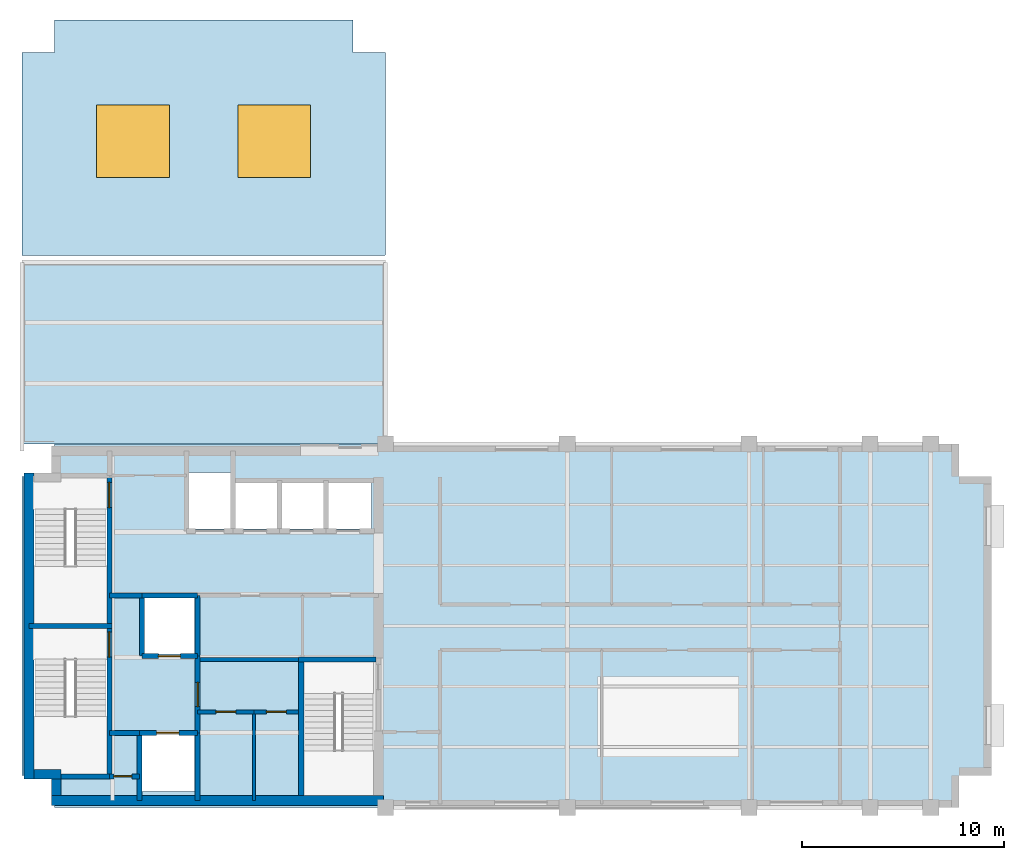
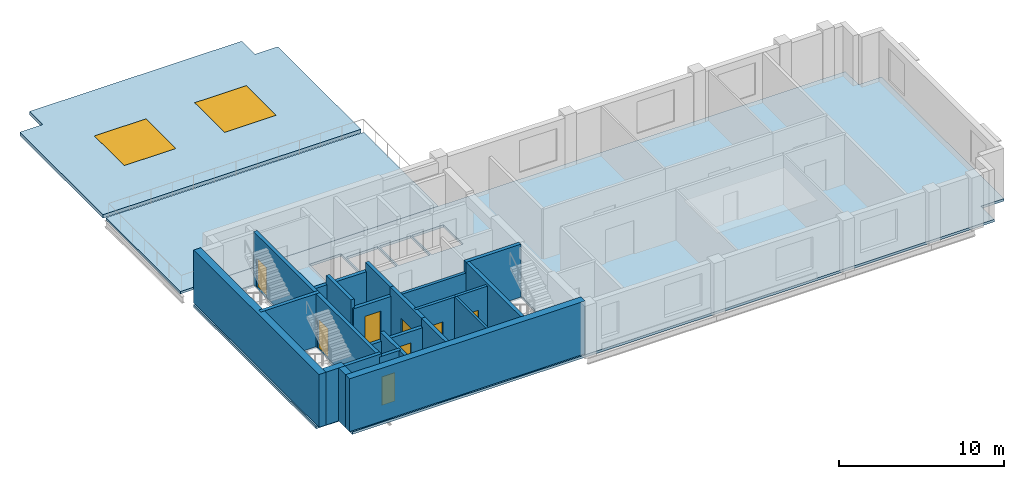
# One storey, part 2 of 5: 25 walls, 8 doors, 3 slabs, 2 windows, 10 openings.
"""IFC4 building model written with IfcOpenShell, lengths in metres."""

from ifc_helpers import new_model, si_unit, direction, frame, frame_2d, origin, origin_2d, place, context, subcontext, project, spatial, polyline, rectangle, outline, extrude, material, layer, layer_set, type_object, element, fill, save


model = new_model("IFC4")

# Units and contexts
model_context = context("Model", 3, precision=1e-05, world=origin(), true_north=direction((0.0, 1.0)))
body_context = subcontext(model_context, "Body", "Model", "MODEL_VIEW")
ifc_project = project(units=[si_unit("LENGTHUNIT", "METRE"), si_unit("AREAUNIT", "SQUARE_METRE"), si_unit("VOLUMEUNIT", "CUBIC_METRE"), si_unit("PLANEANGLEUNIT", "RADIAN"), si_unit("MASSUNIT", "GRAM", prefix="KILO")], contexts=[model_context])

# Site, building, storey
site_placement = place(None, origin())
site = spatial("IfcSite", under=ifc_project, at=site_placement, CompositionType="ELEMENT")
building_placement = place(site_placement, origin())
building = spatial("IfcBuilding", under=site, at=building_placement, Name="Mawjdan Bourse Tower", CompositionType="ELEMENT")
storey_placement = place(building_placement, frame((0.0, 0.0, 254.699951171875)))
storey = spatial("IfcBuildingStorey", under=building, at=storey_placement, Name="L62", CompositionType="ELEMENT", Elevation=254.699951171875)

# Slab, openings, windows
ifc_material_1 = material(Name="Concrete C50/60", Category="concrete")
ifc_layer_1 = layer(ifc_material_1, 0.260009765625)
ifc_layer_set_1 = layer_set([ifc_layer_1], Name="Concrete C50/60")
slab_type_1 = type_object("IfcSlabType", Name="SL-ROOF-260", PredefinedType="ROOF", material=ifc_layer_set_1)
slab_1_placement = place(storey_placement, frame((0.0, 0.0, -0.260009765625)))
slab_1 = element("IfcSlab", 1, at=slab_1_placement, inside=storey, type_object=slab_type_1, Name="L62 Setback Weather Roof 1", PredefinedType="ROOF", context=body_context, shape_type="SweptSolid", body=[
    extrude(outline(polyline([(6.0, 30.3701171875), (6.0, 30.367919921875), (6.00048828125, 30.3662109375), (6.0009765625, 30.3642578125), (6.00146484375, 30.3623046875), (6.00244140625, 30.360595703125), (6.00341796875, 30.35888671875), (6.00439453125, 30.357421875), (6.005859375, 30.35595703125), (6.00732421875, 30.3544921875), (6.0087890625, 30.353515625), (6.010498046875, 30.352294921875), (6.01220703125, 30.3515625), (6.01416015625, 30.350830078125), (6.01611328125, 30.350341796875), (6.01806640625, 30.35009765625), (6.02001953125, 30.35009765625), (23.97998046875, 30.35009765625), (23.98193359375, 30.35009765625), (23.98388671875, 30.350341796875), (23.98583984375, 30.350830078125), (23.98779296875, 30.3515625), (23.989501953125, 30.352294921875), (23.9912109375, 30.353515625), (23.99267578125, 30.3544921875), (23.994140625, 30.35595703125), (23.99560546875, 30.357421875), (23.99658203125, 30.35888671875), (23.99755859375, 30.360595703125), (23.99853515625, 30.3623046875), (23.9990234375, 30.3642578125), (23.99951171875, 30.3662109375), (24.0, 30.367919921875), (24.0, 30.3701171875), (24.0, 40.3798828125), (24.0, 40.382080078125), (23.99951171875, 40.3837890625), (23.9990234375, 40.3857421875), (23.99853515625, 40.3876953125), (23.99755859375, 40.389404296875), (23.99658203125, 40.39111328125), (23.99560546875, 40.392578125), (23.994140625, 40.39404296875), (23.99267578125, 40.3955078125), (23.9912109375, 40.396484375), (23.989501953125, 40.397705078125), (23.98779296875, 40.3984375), (23.98583984375, 40.399169921875), (23.98388671875, 40.399658203125), (23.98193359375, 40.39990234375), (23.97998046875, 40.39990234375), (22.400390625, 40.39990234375), (22.39990234375, 40.39990234375), (22.39990234375, 40.400390625), (22.39990234375, 41.97998046875), (22.39990234375, 41.98193359375), (22.399658203125, 41.98388671875), (22.399169921875, 41.98583984375), (22.3984375, 41.98779296875), (22.397705078125, 41.989501953125), (22.396484375, 41.9912109375), (22.3955078125, 41.99267578125), (22.39404296875, 41.994140625), (22.392578125, 41.99560546875), (22.39111328125, 41.99658203125), (22.389404296875, 41.99755859375), (22.3876953125, 41.99853515625), (22.3857421875, 41.9990234375), (22.3837890625, 41.99951171875), (22.382080078125, 42.0), (22.3798828125, 42.0), (7.6201171875, 42.0), (7.617919921875, 42.0), (7.6162109375, 41.99951171875), (7.6142578125, 41.9990234375), (7.6123046875, 41.99853515625), (7.610595703125, 41.99755859375), (7.60888671875, 41.99658203125), (7.607421875, 41.99560546875), (7.60595703125, 41.994140625), (7.6044921875, 41.99267578125), (7.603515625, 41.9912109375), (7.602294921875, 41.989501953125), (7.6015625, 41.98779296875), (7.600830078125, 41.98583984375), (7.600341796875, 41.98388671875), (7.60009765625, 41.98193359375), (7.60009765625, 41.97998046875), (7.60009765625, 40.400390625), (7.60009765625, 40.39990234375), (7.599609375, 40.39990234375), (6.02001953125, 40.39990234375), (6.01806640625, 40.39990234375), (6.01611328125, 40.399658203125), (6.01416015625, 40.399169921875), (6.01220703125, 40.3984375), (6.010498046875, 40.397705078125), (6.0087890625, 40.396484375), (6.00732421875, 40.3955078125), (6.005859375, 40.39404296875), (6.00439453125, 40.392578125), (6.00341796875, 40.39111328125), (6.00244140625, 40.389404296875), (6.00146484375, 40.3876953125), (6.0009765625, 40.3857421875), (6.00048828125, 40.3837890625), (6.0, 40.382080078125), (6.0, 40.3798828125), (6.0, 30.3701171875)])), origin(), (0.0, 0.0, 1.0), 0.260009765625),
])
opening_1_placement = place(slab_1_placement, frame((11.5, 36.0, 0.0)))
opening_1 = element("IfcOpeningElement", 2, at=opening_1_placement, cuts=slab_1, Name="Opening SKL-L62-01", PredefinedType="OPENING", context=body_context, shape_type="SweptSolid", body=[
    extrude(rectangle(XDim=3.60009765625, YDim=3.60009765625, at=origin_2d()), frame((0.0, 0.0, -0.010009765625)), (0.0, 0.0, 1.0), 0.280029296875),
])
opening_2_placement = place(slab_1_placement, frame((18.5, 36.0, 0.0)))
opening_2 = element("IfcOpeningElement", 3, at=opening_2_placement, cuts=slab_1, Name="Opening SKL-L62-02", PredefinedType="OPENING", context=body_context, shape_type="SweptSolid", body=[
    extrude(rectangle(XDim=3.60009765625, YDim=3.60009765625, at=origin_2d()), frame((0.0, 0.0, -0.010009765625)), (0.0, 0.0, 1.0), 0.280029296875),
])
ifc_material_2 = material(Name="Laminated Structural Skylight Glass", Category="glass")
window_type = type_object("IfcWindowType", Name="SKL-ATR-3600", PartitioningType="SINGLE_PANEL", PredefinedType="SKYLIGHT", material=ifc_material_2)
window_1_placement = place(opening_1_placement, frame((0.0, 0.0, 0.2099609375)))
window_1 = element("IfcWindow", 4, at=window_1_placement, inside=storey, type_object=window_type, Name="L62 Atrium Roof Skylight 1", OverallHeight=3.60009765625, OverallWidth=3.60009765625, PartitioningType="SINGLE_PANEL", PredefinedType="SKYLIGHT", context=body_context, shape_type="SweptSolid", body=[
    extrude(rectangle(XDim=3.60009765625, YDim=3.60009765625, at=origin_2d()), origin(), (0.0, 0.0, 1.0), 0.050048828125),
])
fill(opening_1, window_1)
window_2_placement = place(opening_2_placement, frame((0.0, 0.0, 0.2099609375)))
window_2 = element("IfcWindow", 5, at=window_2_placement, inside=storey, type_object=window_type, Name="L62 Atrium Roof Skylight 2", OverallHeight=3.60009765625, OverallWidth=3.60009765625, PartitioningType="SINGLE_PANEL", PredefinedType="SKYLIGHT", context=body_context, shape_type="SweptSolid", body=[
    extrude(rectangle(XDim=3.60009765625, YDim=3.60009765625, at=origin_2d()), origin(), (0.0, 0.0, 1.0), 0.050048828125),
])
fill(opening_2, window_2)

# Slabs
ifc_layer_2 = layer(ifc_material_1, 0.18505859375)
ifc_layer_set_2 = layer_set([ifc_layer_2], Name="Concrete C50/60")
slab_type_2 = type_object("IfcSlabType", Name="SL-SMT-185", PredefinedType="FLOOR", material=ifc_layer_set_2)
slab_2_placement = place(storey_placement, frame((0.0, 0.0, -0.18505859375)))
element("IfcSlab", 6, at=slab_2_placement, inside=storey, type_object=slab_type_2, Name="L62 Structural Floor Slab 1", PredefinedType="FLOOR", context=body_context, shape_type="SweptSolid", body=[
    extrude(outline(polyline([(7.60009765625, 3.0), (52.39990234375, 3.0), (52.39990234375, 4.60009765625), (54.0, 4.60009765625), (54.0, 19.39990234375), (52.39990234375, 19.39990234375), (52.39990234375, 21.0), (7.60009765625, 21.0), (7.60009765625, 19.39990234375), (6.0, 19.39990234375), (6.0, 4.60009765625), (7.60009765625, 4.60009765625), (7.60009765625, 3.0)]), holes=[polyline([(14.550048828125, 3.800048828125), (11.949951171875, 3.800048828125), (11.949951171875, 6.60009765625), (14.550048828125, 6.60009765625), (14.550048828125, 3.800048828125)]), polyline([(10.260009765625, 11.969970703125), (10.260009765625, 10.31005859375), (10.199951171875, 10.31005859375), (10.199951171875, 4.64990234375), (6.60009765625, 4.64990234375), (6.60009765625, 10.31005859375), (6.5400390625, 10.31005859375), (6.5400390625, 11.969970703125), (10.260009765625, 11.969970703125)]), polyline([(14.550048828125, 10.60009765625), (12.050048828125, 10.60009765625), (12.050048828125, 13.39990234375), (14.550048828125, 13.39990234375), (14.550048828125, 10.60009765625)]), polyline([(7.60009765625, 19.3798828125), (7.60205078125, 19.380126953125), (7.60400390625, 19.38037109375), (7.605712890625, 19.380859375), (7.607666015625, 19.381591796875), (7.609375, 19.38232421875), (7.611083984375, 19.38330078125), (7.61279296875, 19.384521484375), (7.614013671875, 19.385986328125), (7.615478515625, 19.38720703125), (7.61669921875, 19.388916015625), (7.61767578125, 19.390625), (7.618408203125, 19.392333984375), (7.619140625, 19.394287109375), (7.61962890625, 19.39599609375), (7.619873046875, 19.39794921875), (7.6201171875, 19.39990234375), (7.6201171875, 19.409912109375), (10.260009765625, 19.409912109375), (10.260009765625, 17.75), (10.199951171875, 17.75), (10.199951171875, 12.090087890625), (6.60009765625, 12.090087890625), (6.60009765625, 17.75), (6.5400390625, 17.75), (6.5400390625, 19.3798828125), (7.60009765625, 19.3798828125)]), polyline([(19.889892578125, 10.280029296875), (23.610107421875, 10.280029296875), (23.610107421875, 8.6201171875), (23.550048828125, 8.6201171875), (23.550048828125, 3.6201171875), (19.949951171875, 3.6201171875), (19.949951171875, 8.6201171875), (19.889892578125, 8.6201171875), (19.889892578125, 10.280029296875)]), polyline([(16.5, 16.800048828125), (16.5, 19.14990234375), (18.699951171875, 19.14990234375), (18.699951171875, 16.800048828125), (16.5, 16.800048828125)]), polyline([(21.0, 16.800048828125), (18.800048828125, 16.800048828125), (18.800048828125, 19.14990234375), (21.0, 19.14990234375), (21.0, 16.800048828125)]), polyline([(21.10009765625, 16.800048828125), (21.10009765625, 19.14990234375), (23.300048828125, 19.14990234375), (23.300048828125, 16.800048828125), (21.10009765625, 16.800048828125)]), polyline([(14.199951171875, 16.800048828125), (14.199951171875, 19.60009765625), (16.39990234375, 19.60009765625), (16.39990234375, 16.800048828125), (14.199951171875, 16.800048828125)])]), origin(), (0.0, 0.0, 1.0), 0.18505859375),
])
ifc_layer_3 = layer(ifc_material_1, 0.169921875)
ifc_layer_set_3 = layer_set([ifc_layer_3], Name="Concrete C50/60")
slab_type_3 = type_object("IfcSlabType", Name="SL-TER-170", PredefinedType="FLOOR", material=ifc_layer_set_3)
slab_3_placement = place(storey_placement, frame((0.0, 0.0, -0.169921875)))
element("IfcSlab", 7, at=slab_3_placement, inside=storey, type_object=slab_type_3, Name="L62 North Wing Summit Sky Terrace", PredefinedType="FLOOR", context=body_context, shape_type="SweptSolid", body=[
    extrude(outline(polyline([(6.0, 21.0), (24.0, 21.0), (24.0, 30.0), (6.0, 30.0), (6.0, 21.0)])), origin(), (0.0, 0.0, 1.0), 0.169921875),
])

# Wall, opening, door
ifc_material_3 = material(Name="Gypsum Fireboard Assembly")
ifc_layer_4 = layer(ifc_material_3, 0.199951171875)
ifc_layer_set_4 = layer_set([ifc_layer_4], Name="Gypsum Fireboard Assembly")
wall_type_1 = type_object("IfcWallType", Name="WL-CMP-200", PredefinedType="PARTITIONING", material=ifc_layer_set_4)
wall_1_placement = place(storey_placement, frame((14.699951171875, 7.739990234375, 0.0), z_axis=(0.0, 0.0, 1.0), x_axis=(1.0, 0.0, 0.0)))
wall_1 = element("IfcWall", 8, at=wall_1_placement, inside=storey, type_object=wall_type_1, Name="L62 First Aid & Wellness Room North Wall", PredefinedType="PARTITIONING", context=body_context, shape_type="SweptSolid", body=[
    extrude(rectangle(XDim=2.800048828125, YDim=0.199951171875, at=frame_2d((1.39990234375, 0.0))), origin(), (0.0, 0.0, 1.0), 3.705078125),
])
opening_3_placement = place(wall_1_placement, frame((0.89990234375, 0.0, 0.0)))
opening_3 = element("IfcOpeningElement", 9, at=opening_3_placement, cuts=wall_1, Name="Opening D-L62-13", PredefinedType="OPENING", context=body_context, shape_type="SweptSolid", body=[
    extrude(rectangle(XDim=1.0, YDim=2.14990234375, at=frame_2d((0.5, 1.074951171875))), frame((0.0, 0.10986328125, 0.0), z_axis=(0.0, -1.0, 0.0), x_axis=(1.0, 0.0, 0.0)), (0.0, 0.0, 1.0), 0.219970703125),
])
ifc_material_4 = material(Name="Hardwood Acoustic Leaf", Category="wood")
door_type_1 = type_object("IfcDoorType", Name="DR-OFC-1000", OperationType="NOTDEFINED", PredefinedType="DOOR", material=ifc_material_4)
door_1_placement = place(opening_3_placement, origin())
door_1 = element("IfcDoor", 10, at=door_1_placement, inside=storey, type_object=door_type_1, Name="L62 First Aid & Wellness Room Door D-L62-13", OperationType="SINGLE_SWING_LEFT", OverallHeight=2.14990234375, OverallWidth=1.0, PredefinedType="DOOR", context=body_context, shape_type="SweptSolid", body=[
    extrude(rectangle(XDim=1.0, YDim=2.14990234375, at=frame_2d((0.5, 1.074951171875))), frame((0.0, 0.02490234375, 0.0), z_axis=(0.0, -1.0, 0.0), x_axis=(1.0, 0.0, 0.0)), (0.0, 0.0, 1.0), 0.050048828125),
])
fill(opening_3, door_1)

wall_2_placement = place(storey_placement, frame((17.5, 7.739990234375, 0.0), z_axis=(0.0, 0.0, 1.0), x_axis=(1.0, 0.0, 0.0)))
wall_2 = element("IfcWall", 11, at=wall_2_placement, inside=storey, type_object=wall_type_1, Name="L62 Reprographics & Pantry Suite North Wall", PredefinedType="PARTITIONING", context=body_context, shape_type="SweptSolid", body=[
    extrude(rectangle(XDim=2.199951171875, YDim=0.199951171875, at=frame_2d((1.10009765625, 0.0))), origin(), (0.0, 0.0, 1.0), 3.705078125),
])
opening_4_placement = place(wall_2_placement, frame((0.60009765625, 0.0, 0.0)))
opening_4 = element("IfcOpeningElement", 12, at=opening_4_placement, cuts=wall_2, Name="Opening D-L62-14", PredefinedType="OPENING", context=body_context, shape_type="SweptSolid", body=[
    extrude(rectangle(XDim=1.0, YDim=2.14990234375, at=frame_2d((0.5, 1.074951171875))), frame((0.0, 0.10986328125, 0.0), z_axis=(0.0, -1.0, 0.0), x_axis=(1.0, 0.0, 0.0)), (0.0, 0.0, 1.0), 0.219970703125),
])
door_2_placement = place(opening_4_placement, origin())
door_2 = element("IfcDoor", 13, at=door_2_placement, inside=storey, type_object=door_type_1, Name="L62 Reprographics & Pantry Suite Door D-L62-14", OperationType="SINGLE_SWING_RIGHT", OverallHeight=2.14990234375, OverallWidth=1.0, PredefinedType="DOOR", context=body_context, shape_type="SweptSolid", body=[
    extrude(rectangle(XDim=1.0, YDim=2.14990234375, at=frame_2d((0.5, 1.074951171875))), frame((0.0, 0.02490234375, 0.0), z_axis=(0.0, -1.0, 0.0), x_axis=(1.0, 0.0, 0.0)), (0.0, 0.0, 1.0), 0.050048828125),
])
fill(opening_4, door_2)

# Walls
wall_3_placement = place(storey_placement, frame((14.824951171875, 10.340087890625, 0.0), z_axis=(0.0, 0.0, 1.0), x_axis=(1.0, 0.0, 0.0)))
element("IfcWall", 14, at=wall_3_placement, inside=storey, type_object=wall_type_1, Name="L62 Core Restroom Suite South Wall", PredefinedType="PARTITIONING", context=body_context, shape_type="SweptSolid", body=[
    extrude(rectangle(XDim=4.880126953125, YDim=0.199951171875, at=frame_2d((2.43994140625, 0.0))), origin(), (0.0, 0.0, 1.0), 3.088134765625),
])
ifc_material_5 = material(Name="Concrete C60/75", Category="concrete")
ifc_layer_5 = layer(ifc_material_5, 0.449951171875)
ifc_layer_set_5 = layer_set([ifc_layer_5], Name="Concrete C60/75")
wall_type_2 = type_object("IfcWallType", Name="WL-CORE-450", PredefinedType="SHEAR", material=ifc_layer_set_5)
wall_4_placement = place(storey_placement, frame((6.60009765625, 4.64990234375, 0.0), z_axis=(0.0, 0.0, 1.0), x_axis=(1.0, 0.0, 0.0)))
element("IfcWall", 15, at=wall_4_placement, inside=storey, type_object=wall_type_2, Name="L62 Rear Core Shear Wall SW-X", PredefinedType="SHEAR", context=body_context, shape_type="SweptSolid", body=[
    extrude(rectangle(XDim=1.324951171875, YDim=0.449951171875, at=frame_2d((0.66259765625, 0.0))), origin(), (0.0, 0.0, 1.0), 3.900146484375),
])
wall_5_placement = place(storey_placement, frame((7.699951171875, 3.60009765625, 0.0), z_axis=(0.0, 0.0, 1.0), x_axis=(0.0, 1.0, 0.0)))
element("IfcWall", 16, at=wall_5_placement, inside=storey, type_object=wall_type_2, Name="L62 Rear Core Shear Wall SW-Y", PredefinedType="SHEAR", context=body_context, shape_type="SweptSolid", body=[
    extrude(rectangle(XDim=0.824951171875, YDim=0.449951171875, at=frame_2d((0.41259765625, 0.0))), origin(), (0.0, 0.0, 1.0), 3.900146484375),
])
ifc_layer_6 = layer(ifc_material_5, 0.5)
ifc_layer_set_6 = layer_set([ifc_layer_6], Name="Concrete C60/75")
wall_type_3 = type_object("IfcWallType", Name="WL-CORE-500", PredefinedType="SHEAR", material=ifc_layer_set_6)
wall_6_placement = place(storey_placement, frame((7.47509765625, 3.35009765625, 0.0), z_axis=(0.0, 0.0, 1.0), x_axis=(1.0, 0.0, 0.0)))
element("IfcWall", 17, at=wall_6_placement, inside=storey, type_object=wall_type_3, Name="L62 Rear Core Shear Wall S", PredefinedType="SHEAR", context=body_context, shape_type="SweptSolid", body=[
    extrude(rectangle(XDim=16.4248046875, YDim=0.5, at=frame_2d((8.21240234375, 0.0))), origin(), (0.0, 0.0, 1.0), 3.900146484375),
])
wall_7_placement = place(storey_placement, frame((6.35009765625, 4.425048828125, 0.0), z_axis=(0.0, 0.0, 1.0), x_axis=(0.0, 1.0, 0.0)))
element("IfcWall", 18, at=wall_7_placement, inside=storey, type_object=wall_type_3, Name="L62 Rear Core Shear Wall W", PredefinedType="SHEAR", context=body_context, shape_type="SweptSolid", body=[
    extrude(rectangle(XDim=15.14990234375, YDim=0.5, at=frame_2d((7.574951171875, 0.0))), origin(), (0.0, 0.0, 1.0), 3.900146484375),
])
ifc_material_6 = material(Name="Gypsum Acoustic Partition")
ifc_layer_7 = layer(ifc_material_6, 0.14990234375)
ifc_layer_set_7 = layer_set([ifc_layer_7], Name="Gypsum Acoustic Partition")
wall_type_4 = type_object("IfcWallType", Name="WL-PRT-150", PredefinedType="PARTITIONING", material=ifc_layer_set_7)
wall_8_placement = place(storey_placement, frame((17.5, 3.35009765625, 0.0), z_axis=(0.0, 0.0, 1.0), x_axis=(0.0, 1.0, 0.0)))
element("IfcWall", 19, at=wall_8_placement, inside=storey, type_object=wall_type_4, Name="L62 Reprographics & Pantry Suite Core Split Wall", PredefinedType="PARTITIONING", context=body_context, shape_type="SweptSolid", body=[
    extrude(rectangle(XDim=4.389892578125, YDim=0.14990234375, at=frame_2d((2.19482421875, 0.0))), origin(), (0.0, 0.0, 1.0), 3.705078125),
])

# Wall, opening, door
ifc_layer_8 = layer(ifc_material_1, 0.25)
ifc_layer_set_8 = layer_set([ifc_layer_8], Name="Concrete C50/60")
wall_type_5 = type_object("IfcWallType", Name="WL-SHFT-250", PredefinedType="PARTITIONING", material=ifc_layer_set_8)
wall_9_placement = place(storey_placement, frame((10.330078125, 4.550048828125, 0.0), z_axis=(0.0, 0.0, 1.0), x_axis=(1.0, 0.0, 0.0)))
wall_9 = element("IfcWall", 20, at=wall_9_placement, inside=storey, type_object=wall_type_5, Name="L62 SW Riser North Wall", PredefinedType="PARTITIONING", context=body_context, shape_type="SweptSolid", body=[
    extrude(rectangle(XDim=1.489990234375, YDim=0.25, at=frame_2d((0.7451171875, 0.0))), origin(), (0.0, 0.0, 1.0), 3.705078125),
])
opening_5_placement = place(wall_9_placement, frame((0.219970703125, 0.0, 0.0)))
opening_5 = element("IfcOpeningElement", 21, at=opening_5_placement, cuts=wall_9, Name="Opening RD-L62-03", PredefinedType="OPENING", context=body_context, shape_type="SweptSolid", body=[
    extrude(rectangle(XDim=0.89990234375, YDim=2.10009765625, at=frame_2d((0.449951171875, 1.050048828125))), frame((0.0, 0.135009765625, 0.0), z_axis=(0.0, -1.0, 0.0), x_axis=(1.0, 0.0, 0.0)), (0.0, 0.0, 1.0), 0.27001953125),
])
ifc_material_7 = material(Name="Fire-Rated Steel Access Leaf", Category="steel")
door_type_2 = type_object("IfcDoorType", Name="FD-RSR-0900", OperationType="NOTDEFINED", PredefinedType="TRAPDOOR", material=ifc_material_7)
door_3_placement = place(opening_5_placement, origin())
door_3 = element("IfcDoor", 22, at=door_3_placement, inside=storey, type_object=door_type_2, Name="L62 Electrical Riser Access Door RD-L62-03", OperationType="SINGLE_SWING_LEFT", OverallHeight=2.10009765625, OverallWidth=0.89990234375, PredefinedType="TRAPDOOR", context=body_context, shape_type="SweptSolid", body=[
    extrude(rectangle(XDim=0.89990234375, YDim=2.10009765625, at=frame_2d((0.449951171875, 1.050048828125))), frame((0.0, 0.02490234375, 0.0), z_axis=(0.0, -1.0, 0.0), x_axis=(1.0, 0.0, 0.0)), (0.0, 0.0, 1.0), 0.050048828125),
])
fill(opening_5, door_3)

# Wall
wall_10_placement = place(storey_placement, frame((11.820068359375, 3.35009765625, 0.0), z_axis=(0.0, 0.0, 1.0), x_axis=(0.0, 1.0, 0.0)))
element("IfcWall", 23, at=wall_10_placement, inside=storey, type_object=wall_type_5, Name="L62 SW Riser & FFL01 West Wall", PredefinedType="PARTITIONING", context=body_context, shape_type="SweptSolid", body=[
    extrude(rectangle(XDim=3.349853515625, YDim=0.25, at=frame_2d((1.6748046875, 0.0))), origin(), (0.0, 0.0, 1.0), 3.705078125),
])

# Wall, opening, door
wall_11_placement = place(storey_placement, frame((11.820068359375, 6.699951171875, 0.0), z_axis=(0.0, 0.0, 1.0), x_axis=(1.0, 0.0, 0.0)))
wall_11 = element("IfcWall", 24, at=wall_11_placement, inside=storey, type_object=wall_type_5, Name="L62 FFL-01 Front Shaft Wall", PredefinedType="PARTITIONING", context=body_context, shape_type="SweptSolid", body=[
    extrude(rectangle(XDim=2.8798828125, YDim=0.25, at=frame_2d((1.43994140625, 0.0))), origin(), (0.0, 0.0, 1.0), 3.088134765625),
])
opening_6_placement = place(wall_11_placement, frame((0.85009765625, 0.0, 0.0)))
opening_6 = element("IfcOpeningElement", 25, at=opening_6_placement, cuts=wall_11, Name="Opening LD-L62-05", PredefinedType="OPENING", context=body_context, shape_type="SweptSolid", body=[
    extrude(rectangle(XDim=1.10009765625, YDim=2.25, at=frame_2d((0.550048828125, 1.125))), frame((0.0, 0.135009765625, 0.0), z_axis=(0.0, -1.0, 0.0), x_axis=(1.0, 0.0, 0.0)), (0.0, 0.0, 1.0), 0.27001953125),
])
ifc_material_8 = material(Name="Brushed Stainless Steel", Category="steel")
door_type_3 = type_object("IfcDoorType", Name="LD-FFL-1100", OperationType="DOUBLE_DOOR_SLIDING", PredefinedType="DOOR", material=ifc_material_8)
door_4_placement = place(opening_6_placement, origin())
door_4 = element("IfcDoor", 26, at=door_4_placement, inside=storey, type_object=door_type_3, Name="L62 Firefighting Lift FFL-01 Landing Door LD-L62-05", OperationType="DOUBLE_DOOR_SLIDING", OverallHeight=2.25, OverallWidth=1.10009765625, PredefinedType="DOOR", context=body_context, shape_type="SweptSolid", body=[
    extrude(rectangle(XDim=1.10009765625, YDim=2.25, at=frame_2d((0.550048828125, 1.125))), frame((0.0, 0.02490234375, 0.0), z_axis=(0.0, -1.0, 0.0), x_axis=(1.0, 0.0, 0.0)), (0.0, 0.0, 1.0), 0.050048828125),
])
fill(opening_6, door_4)

# Wall
wall_12_placement = place(storey_placement, frame((14.699951171875, 3.35009765625, 0.0), z_axis=(0.0, 0.0, 1.0), x_axis=(0.0, 1.0, 0.0)))
element("IfcWall", 27, at=wall_12_placement, inside=storey, type_object=wall_type_5, Name="L62 FFL-01 East Shaft Wall", PredefinedType="PARTITIONING", context=body_context, shape_type="SweptSolid", body=[
    extrude(rectangle(XDim=3.349853515625, YDim=0.25, at=frame_2d((1.6748046875, 0.0))), origin(), (0.0, 0.0, 1.0), 3.705078125),
])

# Wall, opening, door
wall_13_placement = place(storey_placement, frame((11.949951171875, 10.5, 0.0), z_axis=(0.0, 0.0, 1.0), x_axis=(1.0, 0.0, 0.0)))
wall_13 = element("IfcWall", 28, at=wall_13_placement, inside=storey, type_object=wall_type_5, Name="L62 FFL-02 Front Shaft Wall", PredefinedType="PARTITIONING", context=body_context, shape_type="SweptSolid", body=[
    extrude(rectangle(XDim=2.75, YDim=0.25, at=frame_2d((1.375, 0.0))), origin(), (0.0, 0.0, 1.0), 3.088134765625),
])
opening_7_placement = place(wall_13_placement, frame((0.800048828125, 0.0, 0.0)))
opening_7 = element("IfcOpeningElement", 29, at=opening_7_placement, cuts=wall_13, Name="Opening LD-L62-06", PredefinedType="OPENING", context=body_context, shape_type="SweptSolid", body=[
    extrude(rectangle(XDim=1.10009765625, YDim=2.25, at=frame_2d((0.550048828125, 1.125))), frame((0.0, 0.135009765625, 0.0), z_axis=(0.0, -1.0, 0.0), x_axis=(1.0, 0.0, 0.0)), (0.0, 0.0, 1.0), 0.27001953125),
])
door_5_placement = place(opening_7_placement, origin())
door_5 = element("IfcDoor", 30, at=door_5_placement, inside=storey, type_object=door_type_3, Name="L62 Firefighting Lift FFL-02 Landing Door LD-L62-06", OperationType="DOUBLE_DOOR_SLIDING", OverallHeight=2.25, OverallWidth=1.10009765625, PredefinedType="DOOR", context=body_context, shape_type="SweptSolid", body=[
    extrude(rectangle(XDim=1.10009765625, YDim=2.25, at=frame_2d((0.550048828125, 1.125))), frame((0.0, 0.02490234375, 0.0), z_axis=(0.0, -1.0, 0.0), x_axis=(1.0, 0.0, 0.0)), (0.0, 0.0, 1.0), 0.050048828125),
])
fill(opening_7, door_5)

# Walls
wall_14_placement = place(storey_placement, frame((11.949951171875, 10.5, 0.0), z_axis=(0.0, 0.0, 1.0), x_axis=(0.0, 1.0, 0.0)))
element("IfcWall", 31, at=wall_14_placement, inside=storey, type_object=wall_type_5, Name="L62 FFL-02 West Shaft Wall", PredefinedType="PARTITIONING", context=body_context, shape_type="SweptSolid", body=[
    extrude(rectangle(XDim=3.0, YDim=0.25, at=frame_2d((1.5, 0.0))), origin(), (0.0, 0.0, 1.0), 3.705078125),
])
wall_15_placement = place(storey_placement, frame((11.949951171875, 13.5, 0.0), z_axis=(0.0, 0.0, 1.0), x_axis=(1.0, 0.0, 0.0)))
element("IfcWall", 32, at=wall_15_placement, inside=storey, type_object=wall_type_5, Name="L62 FFL-02 North Shaft Wall", PredefinedType="PARTITIONING", context=body_context, shape_type="SweptSolid", body=[
    extrude(rectangle(XDim=2.75, YDim=0.25, at=frame_2d((1.375, 0.0))), origin(), (0.0, 0.0, 1.0), 3.088134765625),
])
wall_16_placement = place(storey_placement, frame((14.699951171875, 10.5, 0.0), z_axis=(0.0, 0.0, 1.0), x_axis=(0.0, 1.0, 0.0)))
element("IfcWall", 33, at=wall_16_placement, inside=storey, type_object=wall_type_5, Name="L62 FFL-02 East Shaft Wall", PredefinedType="PARTITIONING", context=body_context, shape_type="SweptSolid", body=[
    extrude(rectangle(XDim=3.0, YDim=0.25, at=frame_2d((1.5, 0.0))), origin(), (0.0, 0.0, 1.0), 3.705078125),
])

# Wall, opening, door
wall_17_placement = place(storey_placement, frame((14.699951171875, 6.699951171875, 0.0), z_axis=(0.0, 0.0, 1.0), x_axis=(0.0, 1.0, 0.0)))
wall_17 = element("IfcWall", 34, at=wall_17_placement, inside=storey, type_object=wall_type_5, Name="L62 Firefighting Lobby East Compartment Wall", PredefinedType="PARTITIONING", context=body_context, shape_type="SweptSolid", body=[
    extrude(rectangle(XDim=3.800048828125, YDim=0.25, at=frame_2d((1.89990234375, 0.0))), origin(), (0.0, 0.0, 1.0), 3.705078125),
])
opening_8_placement = place(wall_17_placement, frame((1.300048828125, 0.0, 0.0)))
opening_8 = element("IfcOpeningElement", 35, at=opening_8_placement, cuts=wall_17, Name="Opening FD-L62-07", PredefinedType="OPENING", context=body_context, shape_type="SweptSolid", body=[
    extrude(rectangle(XDim=1.199951171875, YDim=2.199951171875, at=frame_2d((0.60009765625, 1.10009765625))), frame((0.0, 0.135009765625, 0.0), z_axis=(0.0, -1.0, 0.0), x_axis=(1.0, 0.0, 0.0)), (0.0, 0.0, 1.0), 0.27001953125),
])
ifc_material_9 = material(Name="Fire-Rated Steel Leaf", Category="steel")
door_type_4 = type_object("IfcDoorType", Name="FD-FFL-1200", OperationType="NOTDEFINED", PredefinedType="DOOR", material=ifc_material_9)
door_6_placement = place(opening_8_placement, origin())
door_6 = element("IfcDoor", 36, at=door_6_placement, inside=storey, type_object=door_type_4, Name="L62 Firefighting Lobby East Smoke Door FD-L62-07", OperationType="SINGLE_SWING_LEFT", OverallHeight=2.199951171875, OverallWidth=1.199951171875, PredefinedType="DOOR", context=body_context, shape_type="SweptSolid", body=[
    extrude(rectangle(XDim=1.199951171875, YDim=2.199951171875, at=frame_2d((0.60009765625, 1.10009765625))), frame((0.0, 0.02490234375, 0.0), z_axis=(0.0, -1.0, 0.0), x_axis=(1.0, 0.0, 0.0)), (0.0, 0.0, 1.0), 0.050048828125),
])
fill(opening_8, door_6)

# Walls
wall_18_placement = place(storey_placement, frame((10.330078125, 13.5, 0.0), z_axis=(0.0, 0.0, 1.0), x_axis=(1.0, 0.0, 0.0)))
element("IfcWall", 37, at=wall_18_placement, inside=storey, type_object=wall_type_5, Name="L62 Firefighting Lobby North Compartment Wall", PredefinedType="PARTITIONING", context=body_context, shape_type="SweptSolid", body=[
    extrude(rectangle(XDim=1.619873046875, YDim=0.25, at=frame_2d((0.81005859375, 0.0))), origin(), (0.0, 0.0, 1.0), 3.088134765625),
])
wall_19_placement = place(storey_placement, frame((10.330078125, 6.699951171875, 0.0), z_axis=(0.0, 0.0, 1.0), x_axis=(1.0, 0.0, 0.0)))
element("IfcWall", 38, at=wall_19_placement, inside=storey, type_object=wall_type_5, Name="L62 Firefighting Lobby South Closure Wall", PredefinedType="PARTITIONING", context=body_context, shape_type="SweptSolid", body=[
    extrude(rectangle(XDim=1.489990234375, YDim=0.25, at=frame_2d((0.7451171875, 0.0))), origin(), (0.0, 0.0, 1.0), 3.088134765625),
])
ifc_layer_9 = layer(ifc_material_1, 0.25)
ifc_layer_set_9 = layer_set([ifc_layer_9], Name="Concrete C50/60")
wall_type_6 = type_object("IfcWallType", Name="WL-STRW-250", PredefinedType="SHEAR", material=ifc_layer_set_9)
wall_20_placement = place(storey_placement, frame((6.35009765625, 12.0, 0.0), z_axis=(0.0, 0.0, 1.0), x_axis=(1.0, 0.0, 0.0)))
element("IfcWall", 39, at=wall_20_placement, inside=storey, type_object=wall_type_6, Name="L62 Stairwell Dividing Shaft Wall", PredefinedType="SHEAR", context=body_context, shape_type="SweptSolid", body=[
    extrude(rectangle(XDim=4.10498046875, YDim=0.25, at=frame_2d((2.052490234375, 0.0))), origin(), (0.0, 0.0, 1.0), 3.900146484375),
])
wall_21_placement = place(storey_placement, frame((7.699951171875, 4.550048828125, 0.0), z_axis=(0.0, 0.0, 1.0), x_axis=(1.0, 0.0, 0.0)))
element("IfcWall", 40, at=wall_21_placement, inside=storey, type_object=wall_type_6, Name="L62 Stairwell ST1 South Shaft Wall", PredefinedType="SHEAR", context=body_context, shape_type="SweptSolid", body=[
    extrude(rectangle(XDim=2.755126953125, YDim=0.25, at=frame_2d((1.37744140625, 0.0))), origin(), (0.0, 0.0, 1.0), 3.900146484375),
])

# Wall, opening, door
wall_22_placement = place(storey_placement, frame((10.330078125, 4.550048828125, 0.0), z_axis=(0.0, 0.0, 1.0), x_axis=(0.0, 1.0, 0.0)))
wall_22 = element("IfcWall", 41, at=wall_22_placement, inside=storey, type_object=wall_type_6, Name="L62 Stairwell ST1 East Enclosure Wall", PredefinedType="SHEAR", context=body_context, shape_type="SweptSolid", body=[
    extrude(rectangle(XDim=7.449951171875, YDim=0.25, at=frame_2d((3.72509765625, 0.0))), origin(), (0.0, 0.0, 1.0), 3.900146484375),
])
opening_9_placement = place(wall_22_placement, frame((5.89990234375, 0.0, 0.0)))
opening_9 = element("IfcOpeningElement", 42, at=opening_9_placement, cuts=wall_22, Name="Opening SD-L62-01", PredefinedType="OPENING", context=body_context, shape_type="SweptSolid", body=[
    extrude(rectangle(XDim=1.25, YDim=2.199951171875, at=frame_2d((0.625, 1.10009765625))), frame((0.0, 0.135009765625, 0.0), z_axis=(0.0, -1.0, 0.0), x_axis=(1.0, 0.0, 0.0)), (0.0, 0.0, 1.0), 0.27001953125),
])
door_type_5 = type_object("IfcDoorType", Name="FD-ST-1250", OperationType="NOTDEFINED", PredefinedType="DOOR", material=ifc_material_9)
door_7_placement = place(opening_9_placement, origin())
door_7 = element("IfcDoor", 43, at=door_7_placement, inside=storey, type_object=door_type_5, Name="L62 Exit Stair ST1 Fire Door SD-L62-01", OperationType="SINGLE_SWING_LEFT", OverallHeight=2.199951171875, OverallWidth=1.25, PredefinedType="DOOR", context=body_context, shape_type="SweptSolid", body=[
    extrude(rectangle(XDim=1.25, YDim=2.199951171875, at=frame_2d((0.625, 1.10009765625))), frame((0.0, 0.02490234375, 0.0), z_axis=(0.0, -1.0, 0.0), x_axis=(1.0, 0.0, 0.0)), (0.0, 0.0, 1.0), 0.050048828125),
])
fill(opening_9, door_7)

wall_23_placement = place(storey_placement, frame((10.330078125, 12.0, 0.0), z_axis=(0.0, 0.0, 1.0), x_axis=(0.0, 1.0, 0.0)))
wall_23 = element("IfcWall", 44, at=wall_23_placement, inside=storey, type_object=wall_type_6, Name="L62 Stairwell ST2 East Enclosure Wall", PredefinedType="SHEAR", context=body_context, shape_type="SweptSolid", body=[
    extrude(rectangle(XDim=7.449951171875, YDim=0.25, at=frame_2d((3.72509765625, 0.0))), origin(), (0.0, 0.0, 1.0), 3.900146484375),
])
opening_10_placement = place(wall_23_placement, frame((5.85009765625, 0.0, 0.0)))
opening_10 = element("IfcOpeningElement", 45, at=opening_10_placement, cuts=wall_23, Name="Opening SD-L62-02", PredefinedType="OPENING", context=body_context, shape_type="SweptSolid", body=[
    extrude(rectangle(XDim=1.25, YDim=2.199951171875, at=frame_2d((0.625, 1.10009765625))), frame((0.0, 0.135009765625, 0.0), z_axis=(0.0, -1.0, 0.0), x_axis=(1.0, 0.0, 0.0)), (0.0, 0.0, 1.0), 0.27001953125),
])
door_8_placement = place(opening_10_placement, origin())
door_8 = element("IfcDoor", 46, at=door_8_placement, inside=storey, type_object=door_type_5, Name="L62 Exit Stair ST2 Fire Door SD-L62-02", OperationType="SINGLE_SWING_RIGHT", OverallHeight=2.199951171875, OverallWidth=1.25, PredefinedType="DOOR", context=body_context, shape_type="SweptSolid", body=[
    extrude(rectangle(XDim=1.25, YDim=2.199951171875, at=frame_2d((0.625, 1.10009765625))), frame((0.0, 0.02490234375, 0.0), z_axis=(0.0, -1.0, 0.0), x_axis=(1.0, 0.0, 0.0)), (0.0, 0.0, 1.0), 0.050048828125),
])
fill(opening_10, door_8)

# Walls
wall_24_placement = place(storey_placement, frame((19.830078125, 3.60009765625, 0.0), z_axis=(0.0, 0.0, 1.0), x_axis=(0.0, 1.0, 0.0)))
element("IfcWall", 47, at=wall_24_placement, inside=storey, type_object=wall_type_6, Name="L62 ST7 West Shaft Wall", PredefinedType="SHEAR", context=body_context, shape_type="SweptSolid", body=[
    extrude(rectangle(XDim=6.739990234375, YDim=0.25, at=frame_2d((3.3701171875, 0.0))), origin(), (0.0, 0.0, 1.0), 3.900146484375),
])
wall_25_placement = place(storey_placement, frame((19.705078125, 10.340087890625, 0.0), z_axis=(0.0, 0.0, 1.0), x_axis=(1.0, 0.0, 0.0)))
element("IfcWall", 48, at=wall_25_placement, inside=storey, type_object=wall_type_6, Name="L62 ST7 North Shaft Wall", PredefinedType="SHEAR", context=body_context, shape_type="SweptSolid", body=[
    extrude(rectangle(XDim=3.81982421875, YDim=0.25, at=frame_2d((1.909912109375, 0.0))), origin(), (0.0, 0.0, 1.0), 3.900146484375),
])

save(model, "model.ifc")
